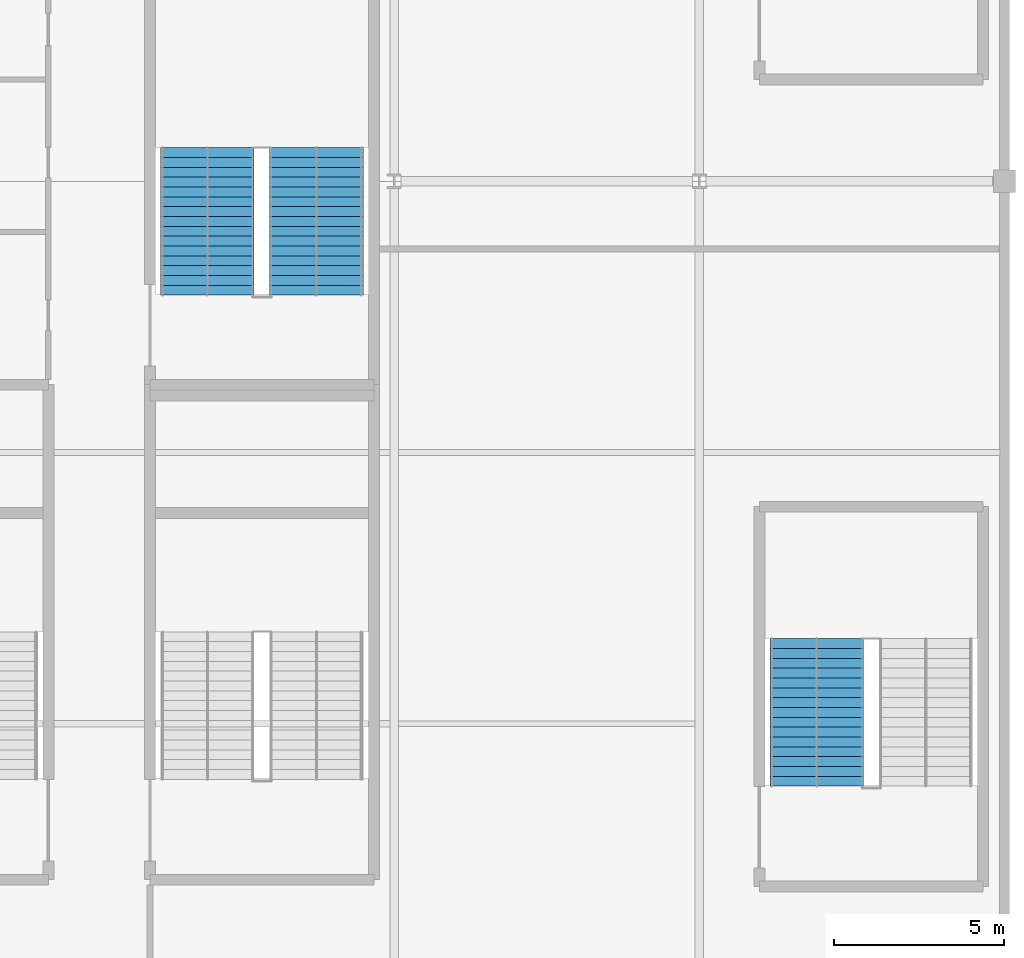
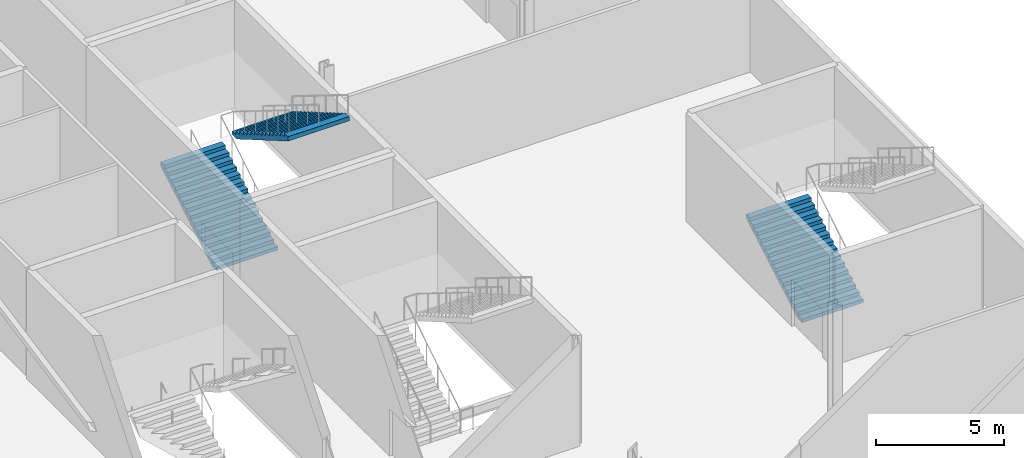
# One storey, part 82 of 113: 3 stair flights, 2 elements without a shape of their own.
"""IFC4 building model written with IfcOpenShell, lengths in metres."""

from ifc_helpers import new_model, si_unit, direction, frame, origin, place, context, subcontext, project, spatial, polygons, material, type_object, element, aggregate, save


model = new_model("IFC4")

# Units and contexts
model_context = context("Model", 3, precision=1e-05, world=origin(), true_north=direction((0.0, 1.0)))
body_context = subcontext(model_context, "Body", "Model", "MODEL_VIEW")
ifc_project = project(units=[si_unit("LENGTHUNIT", "METRE"), si_unit("AREAUNIT", "SQUARE_METRE"), si_unit("VOLUMEUNIT", "CUBIC_METRE"), si_unit("PLANEANGLEUNIT", "RADIAN"), si_unit("MASSUNIT", "GRAM", prefix="KILO")], contexts=[model_context])

# Site, building, storey
site_placement = place(None, origin())
site = spatial("IfcSite", under=ifc_project, at=site_placement, CompositionType="ELEMENT")
building_placement = place(site_placement, origin())
building = spatial("IfcBuilding", under=site, at=building_placement, Name="Kisiwana Market Hall", CompositionType="ELEMENT")
storey_placement = place(building_placement, frame((0.0, 0.0, 6.0)))
storey = spatial("IfcBuildingStorey", under=building, at=storey_placement, Name="L01", CompositionType="ELEMENT", Elevation=6.0)

# Stair, stair flight
ifc_material_1 = material(Name="Concrete C32/40", Category="concrete")
stair_type = type_object("IfcStairType", Name="ST-ESC-5400", PredefinedType="TWO_STRAIGHT_RUN_STAIR", material=ifc_material_1)
stair_1_placement = place(storey_placement, origin())
stair_1 = element("IfcStair", 1, at=stair_1_placement, inside=storey, type_object=stair_type, Name="Escape stair ST-W9-L01", PredefinedType="TWO_STRAIGHT_RUN_STAIR")
ifc_material_2 = material(Name="Concrete C32/40", Category="concrete")
stair_flight_type = type_object("IfcStairFlightType", Name="SF-ESC-5400", PredefinedType="STRAIGHT", material=ifc_material_2)
stair_flight_1_placement = place(storey_placement, frame((39.4599609375, 42.159912109375, 0.0), z_axis=(0.0, 0.0, 1.0), x_axis=(0.0, 1.0, 0.0)))
stair_flight_1 = element("IfcStairFlight", 2, at=stair_flight_1_placement, type_object=stair_flight_type, Name="ST-W9-L01 flight 1", NumberOfRisers=16, NumberOfTreads=15, PredefinedType="STRAIGHT", RiserHeight=0.16875, TreadLength=0.29, context=body_context, shape_type="Tessellation", body=[
    polygons([(0.0, -1.380127, 0.0), (0.0, -0.690125, 0.0), (0.0, -0.000122, 0.0), (0.0, 0.68988, 0.0), (0.0, 1.379883, 0.0), (0.0, -1.380127, 0.168701), (0.0, -0.690125, 0.168701), (0.0, -0.000122, 0.168701), (0.0, 0.68988, 0.168701), (0.0, 1.379883, 0.168701), (0.290039, -1.380127, 0.168701), (0.290039, -0.690125, 0.168701), (0.290039, -0.000122, 0.168701), (0.290039, 0.68988, 0.168701), (0.290039, 1.379883, 0.168701), (0.290039, -1.380127, 0.337402), (0.290039, -0.690125, 0.337402), (0.290039, -0.000122, 0.337402), (0.290039, 0.68988, 0.337402), (0.290039, 1.379883, 0.337402), (0.580078, -1.380127, 0.337402), (0.580078, -0.690125, 0.337402), (0.580078, -0.000122, 0.337402), (0.580078, 0.68988, 0.337402), (0.580078, 1.379883, 0.337402), (0.580078, -1.380127, 0.506348), (0.580078, -0.690125, 0.506348), (0.580078, -0.000122, 0.506348), (0.580078, 0.68988, 0.506348), (0.580078, 1.379883, 0.506348), (0.870117, -1.380127, 0.506348), (0.870117, -0.690125, 0.506348), (0.870117, -0.000122, 0.506348), (0.870117, 0.68988, 0.506348), (0.870117, 1.379883, 0.506348), (0.870117, -1.380127, 0.675049), (0.870117, -0.690125, 0.675049), (0.870117, -0.000122, 0.675049), (0.870117, 0.68988, 0.675049), (0.870117, 1.379883, 0.675049), (1.159912, -1.380127, 0.675049), (1.159912, -0.690125, 0.675049), (1.159912, -0.000122, 0.675049), (1.159912, 0.68988, 0.675049), (1.159912, 1.379883, 0.675049), (1.159912, -1.380127, 0.84375), (1.159912, -0.690125, 0.84375), (1.159912, -0.000122, 0.84375), (1.159912, 0.68988, 0.84375), (1.159912, 1.379883, 0.84375), (1.449951, -1.380127, 0.84375), (1.449951, -0.690125, 0.84375), (1.449951, -0.000122, 0.84375), (1.449951, 0.68988, 0.84375), (1.449951, 1.379883, 0.84375), (1.449951, -1.380127, 1.012451), (1.449951, -0.690125, 1.012451), (1.449951, -0.000122, 1.012451), (1.449951, 0.68988, 1.012451), (1.449951, 1.379883, 1.012451), (1.73999, -1.380127, 1.012451), (1.73999, -0.690125, 1.012451), (1.73999, -0.000122, 1.012451), (1.73999, 0.68988, 1.012451), (1.73999, 1.379883, 1.012451), (1.73999, -1.380127, 1.181152), (1.73999, -0.690125, 1.181152), (1.73999, -0.000122, 1.181152), (1.73999, 0.68988, 1.181152), (1.73999, 1.379883, 1.181152), (2.030029, -1.380127, 1.181152), (2.030029, -0.690125, 1.181152), (2.030029, -0.000122, 1.181152), (2.030029, 0.68988, 1.181152), (2.030029, 1.379883, 1.181152), (2.030029, -1.380127, 1.350098), (2.030029, -0.690125, 1.350098), (2.030029, -0.000122, 1.350098), (2.030029, 0.68988, 1.350098), (2.030029, 1.379883, 1.350098), (2.320068, -1.380127, 1.350098), (2.320068, -0.690125, 1.350098), (2.320068, -0.000122, 1.350098), (2.320068, 0.68988, 1.350098), (2.320068, 1.379883, 1.350098), (2.320068, -1.380127, 1.518799), (2.320068, -0.690125, 1.518799), (2.320068, -0.000122, 1.518799), (2.320068, 0.68988, 1.518799), (2.320068, 1.379883, 1.518799), (2.610107, -1.380127, 1.518799), (2.610107, -0.690125, 1.518799), (2.610107, -0.000122, 1.518799), (2.610107, 0.68988, 1.518799), (2.610107, 1.379883, 1.518799), (2.610107, -1.380127, 1.6875), (2.610107, -0.690125, 1.6875), (2.610107, -0.000122, 1.6875), (2.610107, 0.68988, 1.6875), (2.610107, 1.379883, 1.6875), (2.899902, -1.380127, 1.6875), (2.899902, -0.690125, 1.6875), (2.899902, -0.000122, 1.6875), (2.899902, 0.68988, 1.6875), (2.899902, 1.379883, 1.6875), (2.899902, -1.380127, 1.856201), (2.899902, -0.690125, 1.856201), (2.899902, -0.000122, 1.856201), (2.899902, 0.68988, 1.856201), (2.899902, 1.379883, 1.856201), (3.189941, -1.380127, 1.856201), (3.189941, -0.690125, 1.856201), (3.189941, -0.000122, 1.856201), (3.189941, 0.68988, 1.856201), (3.189941, 1.379883, 1.856201), (3.189941, -1.380127, 2.024902), (3.189941, -0.690125, 2.024902), (3.189941, -0.000122, 2.024902), (3.189941, 0.68988, 2.024902), (3.189941, 1.379883, 2.024902), (3.47998, -1.380127, 2.024902), (3.47998, -0.690125, 2.024902), (3.47998, -0.000122, 2.024902), (3.47998, 0.68988, 2.024902), (3.47998, 1.379883, 2.024902), (3.47998, -1.380127, 2.193848), (3.47998, -0.690125, 2.193848), (3.47998, -0.000122, 2.193848), (3.47998, 0.68988, 2.193848), (3.47998, 1.379883, 2.193848), (3.77002, -1.380127, 2.193848), (3.77002, -0.690125, 2.193848), (3.77002, -0.000122, 2.193848), (3.77002, 0.68988, 2.193848), (3.77002, 1.379883, 2.193848), (3.77002, -1.380127, 2.362549), (3.77002, -0.690125, 2.362549), (3.77002, -0.000122, 2.362549), (3.77002, 0.68988, 2.362549), (3.77002, 1.379883, 2.362549), (4.060059, -1.380127, 2.362549), (4.060059, -0.690125, 2.362549), (4.060059, -0.000122, 2.362549), (4.060059, 0.68988, 2.362549), (4.060059, 1.379883, 2.362549), (4.060059, -1.380127, 2.53125), (4.060059, -0.690125, 2.53125), (4.060059, -0.000122, 2.53125), (4.060059, 0.68988, 2.53125), (4.060059, 1.379883, 2.53125), (4.350098, -1.380127, 2.53125), (4.350098, -0.690125, 2.53125), (4.350098, -0.000122, 2.53125), (4.350098, 0.68988, 2.53125), (4.350098, 1.379883, 2.53125), (4.350098, -1.380127, 2.322998), (4.350098, -0.690125, 2.322998), (4.350098, -0.000122, 2.322998), (4.350098, 0.68988, 2.322998), (4.350098, 1.379883, 2.322998), (0.357666, -1.380127, 0.0), (0.357666, -0.690125, 0.0), (0.357666, -0.000122, 0.0), (0.357666, 0.68988, 0.0), (0.357666, 1.379883, 0.0)], [[[1, 6, 7, 2]], [[2, 7, 8, 3]], [[3, 8, 9, 4]], [[4, 9, 10, 5]], [[6, 11, 12, 7]], [[7, 12, 13, 8]], [[8, 13, 14, 9]], [[9, 14, 15, 10]], [[11, 16, 17, 12]], [[12, 17, 18, 13]], [[13, 18, 19, 14]], [[14, 19, 20, 15]], [[16, 21, 22, 17]], [[17, 22, 23, 18]], [[18, 23, 24, 19]], [[19, 24, 25, 20]], [[21, 26, 27, 22]], [[22, 27, 28, 23]], [[23, 28, 29, 24]], [[24, 29, 30, 25]], [[26, 31, 32, 27]], [[27, 32, 33, 28]], [[28, 33, 34, 29]], [[29, 34, 35, 30]], [[31, 36, 37, 32]], [[32, 37, 38, 33]], [[33, 38, 39, 34]], [[34, 39, 40, 35]], [[36, 41, 42, 37]], [[37, 42, 43, 38]], [[38, 43, 44, 39]], [[39, 44, 45, 40]], [[41, 46, 47, 42]], [[42, 47, 48, 43]], [[43, 48, 49, 44]], [[44, 49, 50, 45]], [[46, 51, 52, 47]], [[47, 52, 53, 48]], [[48, 53, 54, 49]], [[49, 54, 55, 50]], [[51, 56, 57, 52]], [[52, 57, 58, 53]], [[53, 58, 59, 54]], [[54, 59, 60, 55]], [[56, 61, 62, 57]], [[57, 62, 63, 58]], [[58, 63, 64, 59]], [[59, 64, 65, 60]], [[61, 66, 67, 62]], [[62, 67, 68, 63]], [[63, 68, 69, 64]], [[64, 69, 70, 65]], [[66, 71, 72, 67]], [[67, 72, 73, 68]], [[68, 73, 74, 69]], [[69, 74, 75, 70]], [[71, 76, 77, 72]], [[72, 77, 78, 73]], [[73, 78, 79, 74]], [[74, 79, 80, 75]], [[76, 81, 82, 77]], [[77, 82, 83, 78]], [[78, 83, 84, 79]], [[79, 84, 85, 80]], [[81, 86, 87, 82]], [[82, 87, 88, 83]], [[83, 88, 89, 84]], [[84, 89, 90, 85]], [[86, 91, 92, 87]], [[87, 92, 93, 88]], [[88, 93, 94, 89]], [[89, 94, 95, 90]], [[91, 96, 97, 92]], [[92, 97, 98, 93]], [[93, 98, 99, 94]], [[94, 99, 100, 95]], [[96, 101, 102, 97]], [[97, 102, 103, 98]], [[98, 103, 104, 99]], [[99, 104, 105, 100]], [[101, 106, 107, 102]], [[102, 107, 108, 103]], [[103, 108, 109, 104]], [[104, 109, 110, 105]], [[106, 111, 112, 107]], [[107, 112, 113, 108]], [[108, 113, 114, 109]], [[109, 114, 115, 110]], [[111, 116, 117, 112]], [[112, 117, 118, 113]], [[113, 118, 119, 114]], [[114, 119, 120, 115]], [[116, 121, 122, 117]], [[117, 122, 123, 118]], [[118, 123, 124, 119]], [[119, 124, 125, 120]], [[121, 126, 127, 122]], [[122, 127, 128, 123]], [[123, 128, 129, 124]], [[124, 129, 130, 125]], [[126, 131, 132, 127]], [[127, 132, 133, 128]], [[128, 133, 134, 129]], [[129, 134, 135, 130]], [[131, 136, 137, 132]], [[132, 137, 138, 133]], [[133, 138, 139, 134]], [[134, 139, 140, 135]], [[136, 141, 142, 137]], [[137, 142, 143, 138]], [[138, 143, 144, 139]], [[139, 144, 145, 140]], [[141, 146, 147, 142]], [[142, 147, 148, 143]], [[143, 148, 149, 144]], [[144, 149, 150, 145]], [[146, 151, 152, 147]], [[147, 152, 153, 148]], [[148, 153, 154, 149]], [[149, 154, 155, 150]], [[151, 156, 157, 152]], [[152, 157, 158, 153]], [[153, 158, 159, 154]], [[154, 159, 160, 155]], [[156, 161, 162, 157]], [[157, 162, 163, 158]], [[158, 163, 164, 159]], [[159, 164, 165, 160]], [[161, 1, 2, 162]], [[162, 2, 3, 163]], [[163, 3, 4, 164]], [[164, 4, 5, 165]], [[161, 156, 151, 146, 141, 136, 131, 126, 121, 116, 111, 106, 101, 96, 91, 86, 81, 76, 71, 66, 61, 56, 51, 46, 41, 36, 31, 26, 21, 16, 11, 6, 1]], [[5, 10, 15, 20, 25, 30, 35, 40, 45, 50, 55, 60, 65, 70, 75, 80, 85, 90, 95, 100, 105, 110, 115, 120, 125, 130, 135, 140, 145, 150, 155, 160, 165]]], closed=True),
])
aggregate(stair_1, [stair_flight_1])

# Stair, stair flights
stair_2_placement = place(storey_placement, origin())
stair_2 = element("IfcStair", 3, at=stair_2_placement, inside=storey, type_object=stair_type, Name="Escape stair ST-W5-L01", PredefinedType="TWO_STRAIGHT_RUN_STAIR")
stair_flight_2_placement = place(storey_placement, frame((21.489990234375, 56.639892578125, 0.0), z_axis=(0.0, 0.0, 1.0), x_axis=(0.0, 1.0, 0.0)))
stair_flight_2 = element("IfcStairFlight", 4, at=stair_flight_2_placement, type_object=stair_flight_type, Name="ST-W5-L01 flight 1", NumberOfRisers=16, NumberOfTreads=15, PredefinedType="STRAIGHT", RiserHeight=0.16875, TreadLength=0.29, context=body_context, shape_type="Tessellation", body=[
    polygons([(0.0, -1.380127, 0.0), (0.0, -0.690125, 0.0), (0.0, -0.000122, 0.0), (0.0, 0.68988, 0.0), (0.0, 1.379883, 0.0), (0.0, -1.380127, 0.168701), (0.0, -0.690125, 0.168701), (0.0, -0.000122, 0.168701), (0.0, 0.68988, 0.168701), (0.0, 1.379883, 0.168701), (0.290039, -1.380127, 0.168701), (0.290039, -0.690125, 0.168701), (0.290039, -0.000122, 0.168701), (0.290039, 0.68988, 0.168701), (0.290039, 1.379883, 0.168701), (0.290039, -1.380127, 0.337402), (0.290039, -0.690125, 0.337402), (0.290039, -0.000122, 0.337402), (0.290039, 0.68988, 0.337402), (0.290039, 1.379883, 0.337402), (0.580078, -1.380127, 0.337402), (0.580078, -0.690125, 0.337402), (0.580078, -0.000122, 0.337402), (0.580078, 0.68988, 0.337402), (0.580078, 1.379883, 0.337402), (0.580078, -1.380127, 0.506348), (0.580078, -0.690125, 0.506348), (0.580078, -0.000122, 0.506348), (0.580078, 0.68988, 0.506348), (0.580078, 1.379883, 0.506348), (0.870117, -1.380127, 0.506348), (0.870117, -0.690125, 0.506348), (0.870117, -0.000122, 0.506348), (0.870117, 0.68988, 0.506348), (0.870117, 1.379883, 0.506348), (0.870117, -1.380127, 0.675049), (0.870117, -0.690125, 0.675049), (0.870117, -0.000122, 0.675049), (0.870117, 0.68988, 0.675049), (0.870117, 1.379883, 0.675049), (1.159912, -1.380127, 0.675049), (1.159912, -0.690125, 0.675049), (1.159912, -0.000122, 0.675049), (1.159912, 0.68988, 0.675049), (1.159912, 1.379883, 0.675049), (1.159912, -1.380127, 0.84375), (1.159912, -0.690125, 0.84375), (1.159912, -0.000122, 0.84375), (1.159912, 0.68988, 0.84375), (1.159912, 1.379883, 0.84375), (1.449951, -1.380127, 0.84375), (1.449951, -0.690125, 0.84375), (1.449951, -0.000122, 0.84375), (1.449951, 0.68988, 0.84375), (1.449951, 1.379883, 0.84375), (1.449951, -1.380127, 1.012451), (1.449951, -0.690125, 1.012451), (1.449951, -0.000122, 1.012451), (1.449951, 0.68988, 1.012451), (1.449951, 1.379883, 1.012451), (1.73999, -1.380127, 1.012451), (1.73999, -0.690125, 1.012451), (1.73999, -0.000122, 1.012451), (1.73999, 0.68988, 1.012451), (1.73999, 1.379883, 1.012451), (1.73999, -1.380127, 1.181152), (1.73999, -0.690125, 1.181152), (1.73999, -0.000122, 1.181152), (1.73999, 0.68988, 1.181152), (1.73999, 1.379883, 1.181152), (2.030029, -1.380127, 1.181152), (2.030029, -0.690125, 1.181152), (2.030029, -0.000122, 1.181152), (2.030029, 0.68988, 1.181152), (2.030029, 1.379883, 1.181152), (2.030029, -1.380127, 1.350098), (2.030029, -0.690125, 1.350098), (2.030029, -0.000122, 1.350098), (2.030029, 0.68988, 1.350098), (2.030029, 1.379883, 1.350098), (2.320068, -1.380127, 1.350098), (2.320068, -0.690125, 1.350098), (2.320068, -0.000122, 1.350098), (2.320068, 0.68988, 1.350098), (2.320068, 1.379883, 1.350098), (2.320068, -1.380127, 1.518799), (2.320068, -0.690125, 1.518799), (2.320068, -0.000122, 1.518799), (2.320068, 0.68988, 1.518799), (2.320068, 1.379883, 1.518799), (2.610107, -1.380127, 1.518799), (2.610107, -0.690125, 1.518799), (2.610107, -0.000122, 1.518799), (2.610107, 0.68988, 1.518799), (2.610107, 1.379883, 1.518799), (2.610107, -1.380127, 1.6875), (2.610107, -0.690125, 1.6875), (2.610107, -0.000122, 1.6875), (2.610107, 0.68988, 1.6875), (2.610107, 1.379883, 1.6875), (2.899902, -1.380127, 1.6875), (2.899902, -0.690125, 1.6875), (2.899902, -0.000122, 1.6875), (2.899902, 0.68988, 1.6875), (2.899902, 1.379883, 1.6875), (2.899902, -1.380127, 1.856201), (2.899902, -0.690125, 1.856201), (2.899902, -0.000122, 1.856201), (2.899902, 0.68988, 1.856201), (2.899902, 1.379883, 1.856201), (3.189941, -1.380127, 1.856201), (3.189941, -0.690125, 1.856201), (3.189941, -0.000122, 1.856201), (3.189941, 0.68988, 1.856201), (3.189941, 1.379883, 1.856201), (3.189941, -1.380127, 2.024902), (3.189941, -0.690125, 2.024902), (3.189941, -0.000122, 2.024902), (3.189941, 0.68988, 2.024902), (3.189941, 1.379883, 2.024902), (3.47998, -1.380127, 2.024902), (3.47998, -0.690125, 2.024902), (3.47998, -0.000122, 2.024902), (3.47998, 0.68988, 2.024902), (3.47998, 1.379883, 2.024902), (3.47998, -1.380127, 2.193848), (3.47998, -0.690125, 2.193848), (3.47998, -0.000122, 2.193848), (3.47998, 0.68988, 2.193848), (3.47998, 1.379883, 2.193848), (3.77002, -1.380127, 2.193848), (3.77002, -0.690125, 2.193848), (3.77002, -0.000122, 2.193848), (3.77002, 0.68988, 2.193848), (3.77002, 1.379883, 2.193848), (3.77002, -1.380127, 2.362549), (3.77002, -0.690125, 2.362549), (3.77002, -0.000122, 2.362549), (3.77002, 0.68988, 2.362549), (3.77002, 1.379883, 2.362549), (4.060059, -1.380127, 2.362549), (4.060059, -0.690125, 2.362549), (4.060059, -0.000122, 2.362549), (4.060059, 0.68988, 2.362549), (4.060059, 1.379883, 2.362549), (4.060059, -1.380127, 2.53125), (4.060059, -0.690125, 2.53125), (4.060059, -0.000122, 2.53125), (4.060059, 0.68988, 2.53125), (4.060059, 1.379883, 2.53125), (4.350098, -1.380127, 2.53125), (4.350098, -0.690125, 2.53125), (4.350098, -0.000122, 2.53125), (4.350098, 0.68988, 2.53125), (4.350098, 1.379883, 2.53125), (4.350098, -1.380127, 2.322998), (4.350098, -0.690125, 2.322998), (4.350098, -0.000122, 2.322998), (4.350098, 0.68988, 2.322998), (4.350098, 1.379883, 2.322998), (0.357666, -1.380127, 0.0), (0.357666, -0.690125, 0.0), (0.357666, -0.000122, 0.0), (0.357666, 0.68988, 0.0), (0.357666, 1.379883, 0.0)], [[[1, 6, 7, 2]], [[2, 7, 8, 3]], [[3, 8, 9, 4]], [[4, 9, 10, 5]], [[6, 11, 12, 7]], [[7, 12, 13, 8]], [[8, 13, 14, 9]], [[9, 14, 15, 10]], [[11, 16, 17, 12]], [[12, 17, 18, 13]], [[13, 18, 19, 14]], [[14, 19, 20, 15]], [[16, 21, 22, 17]], [[17, 22, 23, 18]], [[18, 23, 24, 19]], [[19, 24, 25, 20]], [[21, 26, 27, 22]], [[22, 27, 28, 23]], [[23, 28, 29, 24]], [[24, 29, 30, 25]], [[26, 31, 32, 27]], [[27, 32, 33, 28]], [[28, 33, 34, 29]], [[29, 34, 35, 30]], [[31, 36, 37, 32]], [[32, 37, 38, 33]], [[33, 38, 39, 34]], [[34, 39, 40, 35]], [[36, 41, 42, 37]], [[37, 42, 43, 38]], [[38, 43, 44, 39]], [[39, 44, 45, 40]], [[41, 46, 47, 42]], [[42, 47, 48, 43]], [[43, 48, 49, 44]], [[44, 49, 50, 45]], [[46, 51, 52, 47]], [[47, 52, 53, 48]], [[48, 53, 54, 49]], [[49, 54, 55, 50]], [[51, 56, 57, 52]], [[52, 57, 58, 53]], [[53, 58, 59, 54]], [[54, 59, 60, 55]], [[56, 61, 62, 57]], [[57, 62, 63, 58]], [[58, 63, 64, 59]], [[59, 64, 65, 60]], [[61, 66, 67, 62]], [[62, 67, 68, 63]], [[63, 68, 69, 64]], [[64, 69, 70, 65]], [[66, 71, 72, 67]], [[67, 72, 73, 68]], [[68, 73, 74, 69]], [[69, 74, 75, 70]], [[71, 76, 77, 72]], [[72, 77, 78, 73]], [[73, 78, 79, 74]], [[74, 79, 80, 75]], [[76, 81, 82, 77]], [[77, 82, 83, 78]], [[78, 83, 84, 79]], [[79, 84, 85, 80]], [[81, 86, 87, 82]], [[82, 87, 88, 83]], [[83, 88, 89, 84]], [[84, 89, 90, 85]], [[86, 91, 92, 87]], [[87, 92, 93, 88]], [[88, 93, 94, 89]], [[89, 94, 95, 90]], [[91, 96, 97, 92]], [[92, 97, 98, 93]], [[93, 98, 99, 94]], [[94, 99, 100, 95]], [[96, 101, 102, 97]], [[97, 102, 103, 98]], [[98, 103, 104, 99]], [[99, 104, 105, 100]], [[101, 106, 107, 102]], [[102, 107, 108, 103]], [[103, 108, 109, 104]], [[104, 109, 110, 105]], [[106, 111, 112, 107]], [[107, 112, 113, 108]], [[108, 113, 114, 109]], [[109, 114, 115, 110]], [[111, 116, 117, 112]], [[112, 117, 118, 113]], [[113, 118, 119, 114]], [[114, 119, 120, 115]], [[116, 121, 122, 117]], [[117, 122, 123, 118]], [[118, 123, 124, 119]], [[119, 124, 125, 120]], [[121, 126, 127, 122]], [[122, 127, 128, 123]], [[123, 128, 129, 124]], [[124, 129, 130, 125]], [[126, 131, 132, 127]], [[127, 132, 133, 128]], [[128, 133, 134, 129]], [[129, 134, 135, 130]], [[131, 136, 137, 132]], [[132, 137, 138, 133]], [[133, 138, 139, 134]], [[134, 139, 140, 135]], [[136, 141, 142, 137]], [[137, 142, 143, 138]], [[138, 143, 144, 139]], [[139, 144, 145, 140]], [[141, 146, 147, 142]], [[142, 147, 148, 143]], [[143, 148, 149, 144]], [[144, 149, 150, 145]], [[146, 151, 152, 147]], [[147, 152, 153, 148]], [[148, 153, 154, 149]], [[149, 154, 155, 150]], [[151, 156, 157, 152]], [[152, 157, 158, 153]], [[153, 158, 159, 154]], [[154, 159, 160, 155]], [[156, 161, 162, 157]], [[157, 162, 163, 158]], [[158, 163, 164, 159]], [[159, 164, 165, 160]], [[161, 1, 2, 162]], [[162, 2, 3, 163]], [[163, 3, 4, 164]], [[164, 4, 5, 165]], [[161, 156, 151, 146, 141, 136, 131, 126, 121, 116, 111, 106, 101, 96, 91, 86, 81, 76, 71, 66, 61, 56, 51, 46, 41, 36, 31, 26, 21, 16, 11, 6, 1]], [[5, 10, 15, 20, 25, 30, 35, 40, 45, 50, 55, 60, 65, 70, 75, 80, 85, 90, 95, 100, 105, 110, 115, 120, 125, 130, 135, 140, 145, 150, 155, 160, 165]]], closed=True),
])
stair_flight_3_placement = place(storey_placement, frame((24.7099609375, 60.989990234375, 2.699951171875), z_axis=(0.0, 0.0, 1.0), x_axis=(0.0, -1.0, 0.0)))
stair_flight_3 = element("IfcStairFlight", 5, at=stair_flight_3_placement, type_object=stair_flight_type, Name="ST-W5-L01 flight 2", NumberOfRisers=16, NumberOfTreads=15, PredefinedType="STRAIGHT", RiserHeight=0.16875, TreadLength=0.29, context=body_context, shape_type="Tessellation", body=[
    polygons([(0.0, -1.380127, 0.0), (0.0, -0.690125, 0.0), (0.0, -0.000122, 0.0), (0.0, 0.68988, 0.0), (0.0, 1.379883, 0.0), (0.0, -1.380127, 0.168701), (0.0, -0.690125, 0.168701), (0.0, -0.000122, 0.168701), (0.0, 0.68988, 0.168701), (0.0, 1.379883, 0.168701), (0.290039, -1.380127, 0.168701), (0.290039, -0.690125, 0.168701), (0.290039, -0.000122, 0.168701), (0.290039, 0.68988, 0.168701), (0.290039, 1.379883, 0.168701), (0.290039, -1.380127, 0.337402), (0.290039, -0.690125, 0.337402), (0.290039, -0.000122, 0.337402), (0.290039, 0.68988, 0.337402), (0.290039, 1.379883, 0.337402), (0.580078, -1.380127, 0.337402), (0.580078, -0.690125, 0.337402), (0.580078, -0.000122, 0.337402), (0.580078, 0.68988, 0.337402), (0.580078, 1.379883, 0.337402), (0.580078, -1.380127, 0.506348), (0.580078, -0.690125, 0.506348), (0.580078, -0.000122, 0.506348), (0.580078, 0.68988, 0.506348), (0.580078, 1.379883, 0.506348), (0.870117, -1.380127, 0.506348), (0.870117, -0.690125, 0.506348), (0.870117, -0.000122, 0.506348), (0.870117, 0.68988, 0.506348), (0.870117, 1.379883, 0.506348), (0.870117, -1.380127, 0.675049), (0.870117, -0.690125, 0.675049), (0.870117, -0.000122, 0.675049), (0.870117, 0.68988, 0.675049), (0.870117, 1.379883, 0.675049), (1.159912, -1.380127, 0.675049), (1.159912, -0.690125, 0.675049), (1.159912, -0.000122, 0.675049), (1.159912, 0.68988, 0.675049), (1.159912, 1.379883, 0.675049), (1.159912, -1.380127, 0.84375), (1.159912, -0.690125, 0.84375), (1.159912, -0.000122, 0.84375), (1.159912, 0.68988, 0.84375), (1.159912, 1.379883, 0.84375), (1.449951, -1.380127, 0.84375), (1.449951, -0.690125, 0.84375), (1.449951, -0.000122, 0.84375), (1.449951, 0.68988, 0.84375), (1.449951, 1.379883, 0.84375), (1.449951, -1.380127, 1.012451), (1.449951, -0.690125, 1.012451), (1.449951, -0.000122, 1.012451), (1.449951, 0.68988, 1.012451), (1.449951, 1.379883, 1.012451), (1.73999, -1.380127, 1.012451), (1.73999, -0.690125, 1.012451), (1.73999, -0.000122, 1.012451), (1.73999, 0.68988, 1.012451), (1.73999, 1.379883, 1.012451), (1.73999, -1.380127, 1.181152), (1.73999, -0.690125, 1.181152), (1.73999, -0.000122, 1.181152), (1.73999, 0.68988, 1.181152), (1.73999, 1.379883, 1.181152), (2.030029, -1.380127, 1.181152), (2.030029, -0.690125, 1.181152), (2.030029, -0.000122, 1.181152), (2.030029, 0.68988, 1.181152), (2.030029, 1.379883, 1.181152), (2.030029, -1.380127, 1.350098), (2.030029, -0.690125, 1.350098), (2.030029, -0.000122, 1.350098), (2.030029, 0.68988, 1.350098), (2.030029, 1.379883, 1.350098), (2.320068, -1.380127, 1.350098), (2.320068, -0.690125, 1.350098), (2.320068, -0.000122, 1.350098), (2.320068, 0.68988, 1.350098), (2.320068, 1.379883, 1.350098), (2.320068, -1.380127, 1.518799), (2.320068, -0.690125, 1.518799), (2.320068, -0.000122, 1.518799), (2.320068, 0.68988, 1.518799), (2.320068, 1.379883, 1.518799), (2.610107, -1.380127, 1.518799), (2.610107, -0.690125, 1.518799), (2.610107, -0.000122, 1.518799), (2.610107, 0.68988, 1.518799), (2.610107, 1.379883, 1.518799), (2.610107, -1.380127, 1.6875), (2.610107, -0.690125, 1.6875), (2.610107, -0.000122, 1.6875), (2.610107, 0.68988, 1.6875), (2.610107, 1.379883, 1.6875), (2.899902, -1.380127, 1.6875), (2.899902, -0.690125, 1.6875), (2.899902, -0.000122, 1.6875), (2.899902, 0.68988, 1.6875), (2.899902, 1.379883, 1.6875), (2.899902, -1.380127, 1.856201), (2.899902, -0.690125, 1.856201), (2.899902, -0.000122, 1.856201), (2.899902, 0.68988, 1.856201), (2.899902, 1.379883, 1.856201), (3.189941, -1.380127, 1.856201), (3.189941, -0.690125, 1.856201), (3.189941, -0.000122, 1.856201), (3.189941, 0.68988, 1.856201), (3.189941, 1.379883, 1.856201), (3.189941, -1.380127, 2.024902), (3.189941, -0.690125, 2.024902), (3.189941, -0.000122, 2.024902), (3.189941, 0.68988, 2.024902), (3.189941, 1.379883, 2.024902), (3.47998, -1.380127, 2.024902), (3.47998, -0.690125, 2.024902), (3.47998, -0.000122, 2.024902), (3.47998, 0.68988, 2.024902), (3.47998, 1.379883, 2.024902), (3.47998, -1.380127, 2.193848), (3.47998, -0.690125, 2.193848), (3.47998, -0.000122, 2.193848), (3.47998, 0.68988, 2.193848), (3.47998, 1.379883, 2.193848), (3.77002, -1.380127, 2.193848), (3.77002, -0.690125, 2.193848), (3.77002, -0.000122, 2.193848), (3.77002, 0.68988, 2.193848), (3.77002, 1.379883, 2.193848), (3.77002, -1.380127, 2.362549), (3.77002, -0.690125, 2.362549), (3.77002, -0.000122, 2.362549), (3.77002, 0.68988, 2.362549), (3.77002, 1.379883, 2.362549), (4.060059, -1.380127, 2.362549), (4.060059, -0.690125, 2.362549), (4.060059, -0.000122, 2.362549), (4.060059, 0.68988, 2.362549), (4.060059, 1.379883, 2.362549), (4.060059, -1.380127, 2.53125), (4.060059, -0.690125, 2.53125), (4.060059, -0.000122, 2.53125), (4.060059, 0.68988, 2.53125), (4.060059, 1.379883, 2.53125), (4.350098, -1.380127, 2.53125), (4.350098, -0.690125, 2.53125), (4.350098, -0.000122, 2.53125), (4.350098, 0.68988, 2.53125), (4.350098, 1.379883, 2.53125), (4.350098, -1.380127, 2.322998), (4.350098, -0.690125, 2.322998), (4.350098, -0.000122, 2.322998), (4.350098, 0.68988, 2.322998), (4.350098, 1.379883, 2.322998), (0.357666, -1.380127, 0.0), (0.357666, -0.690125, 0.0), (0.357666, -0.000122, 0.0), (0.357666, 0.68988, 0.0), (0.357666, 1.379883, 0.0)], [[[1, 6, 7, 2]], [[2, 7, 8, 3]], [[3, 8, 9, 4]], [[4, 9, 10, 5]], [[6, 11, 12, 7]], [[7, 12, 13, 8]], [[8, 13, 14, 9]], [[9, 14, 15, 10]], [[11, 16, 17, 12]], [[12, 17, 18, 13]], [[13, 18, 19, 14]], [[14, 19, 20, 15]], [[16, 21, 22, 17]], [[17, 22, 23, 18]], [[18, 23, 24, 19]], [[19, 24, 25, 20]], [[21, 26, 27, 22]], [[22, 27, 28, 23]], [[23, 28, 29, 24]], [[24, 29, 30, 25]], [[26, 31, 32, 27]], [[27, 32, 33, 28]], [[28, 33, 34, 29]], [[29, 34, 35, 30]], [[31, 36, 37, 32]], [[32, 37, 38, 33]], [[33, 38, 39, 34]], [[34, 39, 40, 35]], [[36, 41, 42, 37]], [[37, 42, 43, 38]], [[38, 43, 44, 39]], [[39, 44, 45, 40]], [[41, 46, 47, 42]], [[42, 47, 48, 43]], [[43, 48, 49, 44]], [[44, 49, 50, 45]], [[46, 51, 52, 47]], [[47, 52, 53, 48]], [[48, 53, 54, 49]], [[49, 54, 55, 50]], [[51, 56, 57, 52]], [[52, 57, 58, 53]], [[53, 58, 59, 54]], [[54, 59, 60, 55]], [[56, 61, 62, 57]], [[57, 62, 63, 58]], [[58, 63, 64, 59]], [[59, 64, 65, 60]], [[61, 66, 67, 62]], [[62, 67, 68, 63]], [[63, 68, 69, 64]], [[64, 69, 70, 65]], [[66, 71, 72, 67]], [[67, 72, 73, 68]], [[68, 73, 74, 69]], [[69, 74, 75, 70]], [[71, 76, 77, 72]], [[72, 77, 78, 73]], [[73, 78, 79, 74]], [[74, 79, 80, 75]], [[76, 81, 82, 77]], [[77, 82, 83, 78]], [[78, 83, 84, 79]], [[79, 84, 85, 80]], [[81, 86, 87, 82]], [[82, 87, 88, 83]], [[83, 88, 89, 84]], [[84, 89, 90, 85]], [[86, 91, 92, 87]], [[87, 92, 93, 88]], [[88, 93, 94, 89]], [[89, 94, 95, 90]], [[91, 96, 97, 92]], [[92, 97, 98, 93]], [[93, 98, 99, 94]], [[94, 99, 100, 95]], [[96, 101, 102, 97]], [[97, 102, 103, 98]], [[98, 103, 104, 99]], [[99, 104, 105, 100]], [[101, 106, 107, 102]], [[102, 107, 108, 103]], [[103, 108, 109, 104]], [[104, 109, 110, 105]], [[106, 111, 112, 107]], [[107, 112, 113, 108]], [[108, 113, 114, 109]], [[109, 114, 115, 110]], [[111, 116, 117, 112]], [[112, 117, 118, 113]], [[113, 118, 119, 114]], [[114, 119, 120, 115]], [[116, 121, 122, 117]], [[117, 122, 123, 118]], [[118, 123, 124, 119]], [[119, 124, 125, 120]], [[121, 126, 127, 122]], [[122, 127, 128, 123]], [[123, 128, 129, 124]], [[124, 129, 130, 125]], [[126, 131, 132, 127]], [[127, 132, 133, 128]], [[128, 133, 134, 129]], [[129, 134, 135, 130]], [[131, 136, 137, 132]], [[132, 137, 138, 133]], [[133, 138, 139, 134]], [[134, 139, 140, 135]], [[136, 141, 142, 137]], [[137, 142, 143, 138]], [[138, 143, 144, 139]], [[139, 144, 145, 140]], [[141, 146, 147, 142]], [[142, 147, 148, 143]], [[143, 148, 149, 144]], [[144, 149, 150, 145]], [[146, 151, 152, 147]], [[147, 152, 153, 148]], [[148, 153, 154, 149]], [[149, 154, 155, 150]], [[151, 156, 157, 152]], [[152, 157, 158, 153]], [[153, 158, 159, 154]], [[154, 159, 160, 155]], [[156, 161, 162, 157]], [[157, 162, 163, 158]], [[158, 163, 164, 159]], [[159, 164, 165, 160]], [[161, 1, 2, 162]], [[162, 2, 3, 163]], [[163, 3, 4, 164]], [[164, 4, 5, 165]], [[161, 156, 151, 146, 141, 136, 131, 126, 121, 116, 111, 106, 101, 96, 91, 86, 81, 76, 71, 66, 61, 56, 51, 46, 41, 36, 31, 26, 21, 16, 11, 6, 1]], [[5, 10, 15, 20, 25, 30, 35, 40, 45, 50, 55, 60, 65, 70, 75, 80, 85, 90, 95, 100, 105, 110, 115, 120, 125, 130, 135, 140, 145, 150, 155, 160, 165]]], closed=True),
])
aggregate(stair_2, [stair_flight_2, stair_flight_3])

save(model, "model.ifc")
